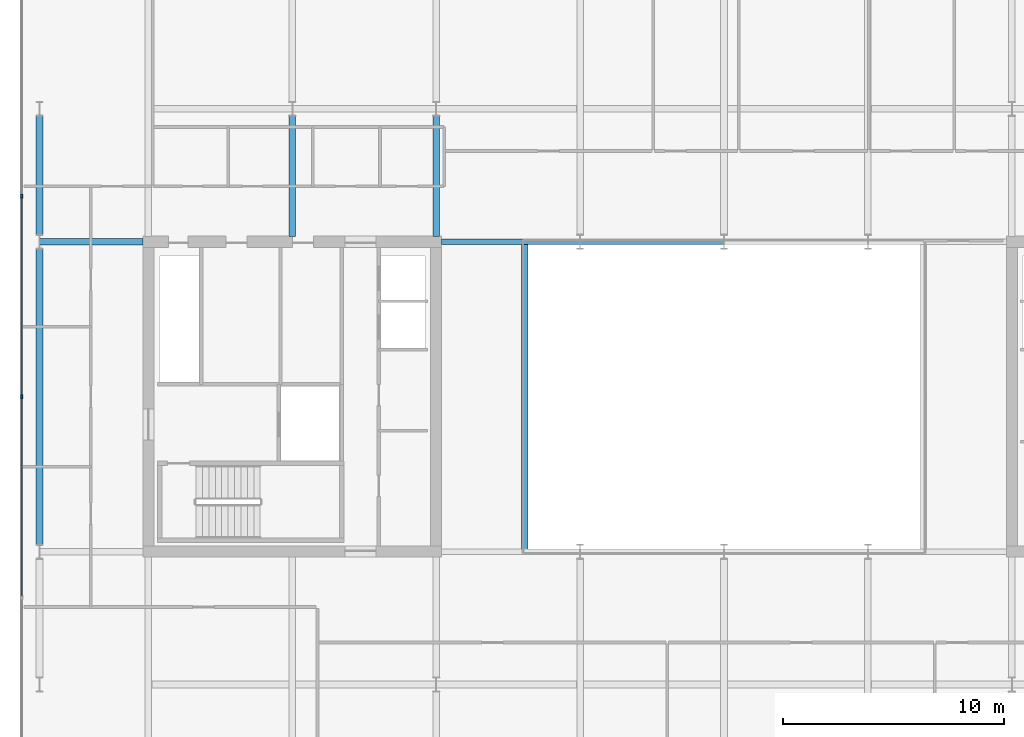
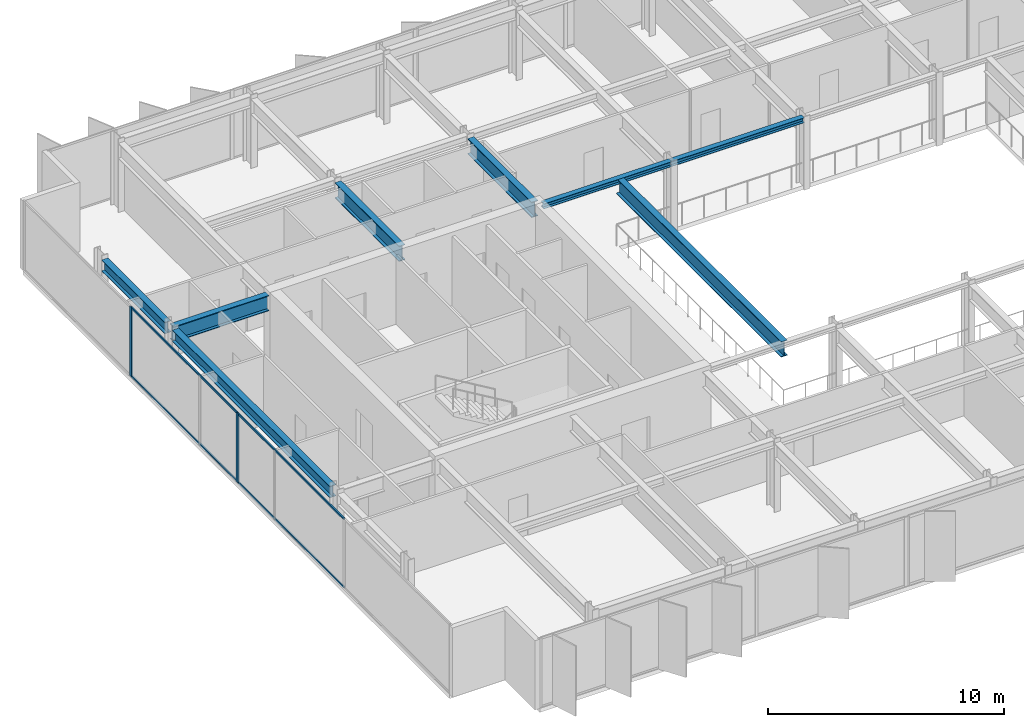
# One storey, part 5 of 19: 8 beams, 6 members, 1 element without a shape of its own.
"""IFC4 building model written with IfcOpenShell, lengths in metres."""

from ifc_helpers import new_model, si_unit, direction, frame, origin, origin_2d, place, context, subcontext, project, spatial, rectangle, i_section, extrude, material, layer, layer_set, material_profile, profile_set, type_object, element, aggregate, save


model = new_model("IFC4")

# Units and contexts
model_context = context("Model", 3, precision=1e-05, world=origin(), true_north=direction((0.0, 1.0)))
body_context = subcontext(model_context, "Body", "Model", "MODEL_VIEW")
ifc_project = project(units=[si_unit("LENGTHUNIT", "METRE"), si_unit("AREAUNIT", "SQUARE_METRE"), si_unit("VOLUMEUNIT", "CUBIC_METRE"), si_unit("PLANEANGLEUNIT", "RADIAN"), si_unit("MASSUNIT", "GRAM", prefix="KILO")], contexts=[model_context])

# Site, building, storey
site_placement = place(None, origin())
site = spatial("IfcSite", under=ifc_project, at=site_placement, CompositionType="ELEMENT")
building_placement = place(site_placement, origin())
building = spatial("IfcBuilding", under=site, at=building_placement, Name="Putna Gate Headquarters", CompositionType="ELEMENT")
storey_placement = place(building_placement, frame((0.0, 0.0, 263.199951171875)))
storey = spatial("IfcBuildingStorey", under=building, at=storey_placement, Name="L66", CompositionType="ELEMENT", Elevation=263.199951171875)

# Beams
ifc_material_1 = material(Name="Steel S355J2", Category="steel")
ifc_material_profile_1 = material_profile(ifc_material_1, i_section(OverallWidth=0.260009765625, OverallDepth=0.260009765625, WebThickness=0.010009765625, FlangeThickness=0.017578125, at=origin_2d()), Name="Steel S355J2")
ifc_profile_set_1 = profile_set([ifc_material_profile_1], Name="Steel S355J2")
beam_type_1 = type_object("IfcBeamType", Name="BM-ATRIUM-HEB260", PredefinedType="BEAM", material=ifc_profile_set_1)
beam_1_placement = place(storey_placement, frame((26.235107421875, 33.0, 3.4580078125), z_axis=(1.0, 0.0, 0.0), x_axis=(0.0, 1.0, 0.0)))
element("IfcBeam", 1, at=beam_1_placement, inside=storey, type_object=beam_type_1, Name="L66 Atrium Edge Beam AN1", PredefinedType="BEAM", context=body_context, shape_type="SweptSolid", body=[
    extrude(i_section(OverallWidth=0.260009765625, OverallDepth=0.260009765625, WebThickness=0.010009765625, FlangeThickness=0.017578125, at=origin_2d()), origin(), (0.0, 0.0, 1.0), 6.2587890625),
])
beam_2_placement = place(storey_placement, frame((32.506103515625, 33.0, 3.4580078125), z_axis=(1.0, 0.0, 0.0), x_axis=(0.0, 1.0, 0.0)))
element("IfcBeam", 2, at=beam_2_placement, inside=storey, type_object=beam_type_1, Name="L66 Atrium Edge Beam AN2", PredefinedType="BEAM", context=body_context, shape_type="SweptSolid", body=[
    extrude(i_section(OverallWidth=0.260009765625, OverallDepth=0.260009765625, WebThickness=0.010009765625, FlangeThickness=0.017578125, at=origin_2d()), origin(), (0.0, 0.0, 1.0), 6.48779296875),
])
ifc_material_profile_2 = material_profile(ifc_material_1, i_section(OverallWidth=0.300048828125, OverallDepth=0.800048828125, WebThickness=0.017578125, FlangeThickness=0.032958984375, at=origin_2d()), Name="Steel S355J2")
ifc_profile_set_2 = profile_set([ifc_material_profile_2], Name="Steel S355J2")
beam_type_2 = type_object("IfcBeamType", Name="BM-GIRD-P-HEB800", PredefinedType="USERDEFINED", material=ifc_profile_set_2)
beam_3_placement = place(storey_placement, frame((8.0859375, 33.0, 3.18798828125), z_axis=(1.0, 0.0, 0.0), x_axis=(0.0, 1.0, 0.0)))
element("IfcBeam", 3, at=beam_3_placement, inside=storey, type_object=beam_type_2, Name="L66 West Wing Girder Y33", ObjectType="GIRDER", PredefinedType="USERDEFINED", context=body_context, shape_type="SweptSolid", body=[
    extrude(i_section(OverallWidth=0.300048828125, OverallDepth=0.800048828125, WebThickness=0.017578125, FlangeThickness=0.032958984375, at=origin_2d()), origin(), (0.0, 0.0, 1.0), 4.678955078125),
])
for number, where, z_axis, x_axis, name in (
    (4, (19.5, 33.235107421875, 3.18798828125), (0.0, 1.0, 0.0), (-1.0, 0.0, 0.0), "L66 North Primary Girder X19-1"),
    (5, (26.0, 33.235107421875, 3.18798828125), (0.0, 1.0, 0.0), (-1.0, 0.0, 0.0), "L66 North Primary Girder X26-1"),
):
    element("IfcBeam", number, at=place(storey_placement, frame(where, z_axis=z_axis, x_axis=x_axis)), inside=storey, type_object=beam_type_2, Name=name, ObjectType="GIRDER", PredefinedType="USERDEFINED", context=body_context, shape_type="SweptSolid", body=[
        extrude(i_section(OverallWidth=0.300048828125, OverallDepth=0.800048828125, WebThickness=0.017578125, FlangeThickness=0.032958984375, at=origin_2d()), origin(), (0.0, 0.0, 1.0), 5.44287109375),
    ])
beam_4_placement = place(storey_placement, frame((30.0, 19.010009765625, 3.18798828125), z_axis=(0.0, 1.0, 0.0), x_axis=(-1.0, 0.0, 0.0)))
element("IfcBeam", 6, at=beam_4_placement, inside=storey, type_object=beam_type_2, Name="L66 Atrium Trim Girder AW", ObjectType="GIRDER", PredefinedType="USERDEFINED", context=body_context, shape_type="SweptSolid", body=[
    extrude(i_section(OverallWidth=0.300048828125, OverallDepth=0.800048828125, WebThickness=0.017578125, FlangeThickness=0.032958984375, at=origin_2d()), origin(), (0.0, 0.0, 1.0), 13.97998046875),
])
ifc_material_profile_3 = material_profile(ifc_material_1, i_section(OverallWidth=0.300048828125, OverallDepth=0.590087890625, WebThickness=0.012939453125, FlangeThickness=0.02490234375, at=origin_2d()), Name="Steel S355J2")
ifc_profile_set_3 = profile_set([ifc_material_profile_3], Name="Steel S355J2")
beam_type_3 = type_object("IfcBeamType", Name="BM-SPAN-Z4-HEA600", PredefinedType="SPANDREL", material=ifc_profile_set_3)
beam_5_placement = place(storey_placement, frame((8.080078125, 19.322021484375, 3.29296875), z_axis=(0.0, 1.0, 0.0), x_axis=(-1.0, 0.0, 0.0)))
element("IfcBeam", 7, at=beam_5_placement, inside=storey, type_object=beam_type_3, Name="L66 W End Spandrel 2", PredefinedType="SPANDREL", context=body_context, shape_type="SweptSolid", body=[
    extrude(i_section(OverallWidth=0.300048828125, OverallDepth=0.590087890625, WebThickness=0.012939453125, FlangeThickness=0.02490234375, at=origin_2d()), origin(), (0.0, 0.0, 1.0), 13.35595703125),
])
beam_6_placement = place(storey_placement, frame((8.080078125, 33.322021484375, 3.29296875), z_axis=(0.0, 1.0, 0.0), x_axis=(-1.0, 0.0, 0.0)))
element("IfcBeam", 8, at=beam_6_placement, inside=storey, type_object=beam_type_3, Name="L66 W End Spandrel 3", PredefinedType="SPANDREL", context=body_context, shape_type="SweptSolid", body=[
    extrude(i_section(OverallWidth=0.300048828125, OverallDepth=0.590087890625, WebThickness=0.012939453125, FlangeThickness=0.02490234375, at=origin_2d()), origin(), (0.0, 0.0, 1.0), 5.35595703125),
])

# Curtain wall, members
ifc_material_2 = material(Name="Anodised bronze aluminium curtain wall", Category="aluminium")
ifc_layer = layer(ifc_material_2, 0.179931640625)
ifc_layer_set = layer_set([ifc_layer], Name="Anodised bronze aluminium curtain wall")
curtain_wall_type = type_object("IfcCurtainWallType", Name="CW-SYS-Z5", PredefinedType="USERDEFINED", material=ifc_layer_set)
curtain_wall_placement = place(storey_placement, origin())
curtain_wall = element("IfcCurtainWall", 9, at=curtain_wall_placement, inside=storey, type_object=curtain_wall_type, Name="L66 West Curtain Wall", ObjectType="STICK CURTAIN WALL", PredefinedType="USERDEFINED")
ifc_material_3 = material(Name="Anodised bronze aluminium EN AW-6060", Category="aluminium")
ifc_material_profile_4 = material_profile(ifc_material_3, rectangle(XDim=0.070068359375, YDim=0.179931640625, at=origin_2d()), Name="Anodised bronze aluminium EN AW-6060")
ifc_profile_set_4 = profile_set([ifc_material_profile_4], Name="Anodised bronze aluminium EN AW-6060")
member_type_1 = type_object("IfcMemberType", Name="MULL-CWM-5", PredefinedType="MULLION", material=ifc_profile_set_4)
member_1_placement = place(storey_placement, frame((7.280029296875, 26.0, 0.0), z_axis=(0.0, 0.0, 1.0), x_axis=(-1.0, 0.0, 0.0)))
member_1 = element("IfcMember", 10, at=member_1_placement, type_object=member_type_1, Name="CWS-5 mullion 3", PredefinedType="MULLION", context=body_context, shape_type="SweptSolid", body=[
    extrude(rectangle(XDim=0.070068359375, YDim=0.179931640625, at=origin_2d()), origin(), (0.0, 0.0, 1.0), 3.588134765625),
])
member_2_placement = place(storey_placement, frame((7.280029296875, 35.050048828125, 0.0), z_axis=(0.0, 0.0, 1.0), x_axis=(-1.0, 0.0, 0.0)))
member_2 = element("IfcMember", 11, at=member_2_placement, type_object=member_type_1, Name="CWS-5 mullion 4", PredefinedType="MULLION", context=body_context, shape_type="SweptSolid", body=[
    extrude(rectangle(XDim=0.070068359375, YDim=0.179931640625, at=origin_2d()), origin(), (0.0, 0.0, 1.0), 3.588134765625),
])
ifc_material_profile_5 = material_profile(ifc_material_3, rectangle(XDim=0.06005859375, YDim=0.10009765625, at=origin_2d()), Name="Anodised bronze aluminium EN AW-6060")
ifc_profile_set_5 = profile_set([ifc_material_profile_5], Name="Anodised bronze aluminium EN AW-6060")
member_type_2 = type_object("IfcMemberType", Name="TRAN-CWT-5", PredefinedType="USERDEFINED", material=ifc_profile_set_5)
member_3_placement = place(storey_placement, frame((7.280029296875, 16.985107421875, 0.030029296875), z_axis=(0.0, 1.0, 0.0), x_axis=(-1.0, 0.0, 0.0)))
member_3 = element("IfcMember", 12, at=member_3_placement, type_object=member_type_2, Name="CWS-5 transom 2.1", ObjectType="TRANSOM", PredefinedType="USERDEFINED", context=body_context, shape_type="SweptSolid", body=[
    extrude(rectangle(XDim=0.06005859375, YDim=0.10009765625, at=origin_2d()), origin(), (0.0, 0.0, 1.0), 8.97998046875),
])
member_4_placement = place(storey_placement, frame((7.280029296875, 16.985107421875, 3.55810546875), z_axis=(0.0, 1.0, 0.0), x_axis=(-1.0, 0.0, 0.0)))
member_4 = element("IfcMember", 13, at=member_4_placement, type_object=member_type_2, Name="CWS-5 transom 2.2", ObjectType="TRANSOM", PredefinedType="USERDEFINED", context=body_context, shape_type="SweptSolid", body=[
    extrude(rectangle(XDim=0.06005859375, YDim=0.10009765625, at=origin_2d()), origin(), (0.0, 0.0, 1.0), 8.97998046875),
])
member_5_placement = place(storey_placement, frame((7.280029296875, 26.034912109375, 0.030029296875), z_axis=(0.0, 1.0, 0.0), x_axis=(-1.0, 0.0, 0.0)))
member_5 = element("IfcMember", 14, at=member_5_placement, type_object=member_type_2, Name="CWS-5 transom 3.1", ObjectType="TRANSOM", PredefinedType="USERDEFINED", context=body_context, shape_type="SweptSolid", body=[
    extrude(rectangle(XDim=0.06005859375, YDim=0.10009765625, at=origin_2d()), origin(), (0.0, 0.0, 1.0), 8.97998046875),
])
member_6_placement = place(storey_placement, frame((7.280029296875, 26.034912109375, 3.55810546875), z_axis=(0.0, 1.0, 0.0), x_axis=(-1.0, 0.0, 0.0)))
member_6 = element("IfcMember", 15, at=member_6_placement, type_object=member_type_2, Name="CWS-5 transom 3.2", ObjectType="TRANSOM", PredefinedType="USERDEFINED", context=body_context, shape_type="SweptSolid", body=[
    extrude(rectangle(XDim=0.06005859375, YDim=0.10009765625, at=origin_2d()), origin(), (0.0, 0.0, 1.0), 8.97998046875),
])
aggregate(curtain_wall, [member_1, member_2, member_3, member_4, member_5, member_6])

save(model, "model.ifc")
